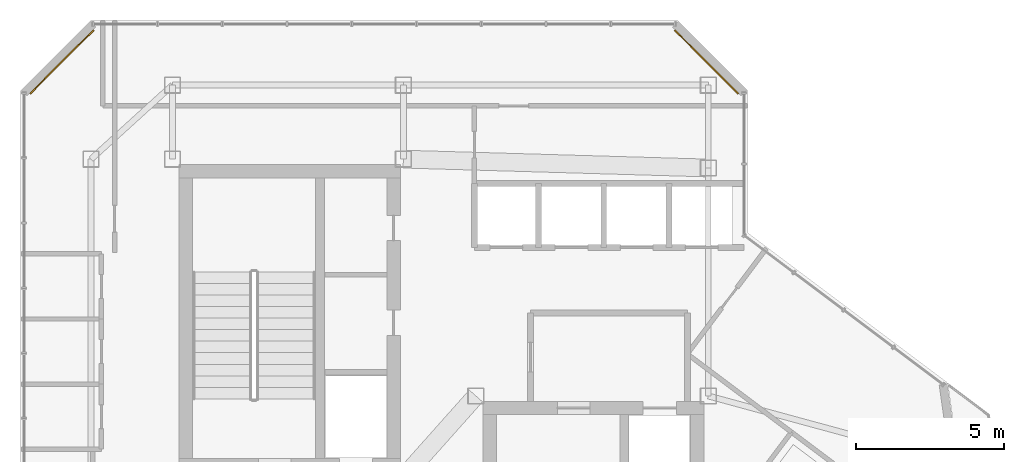
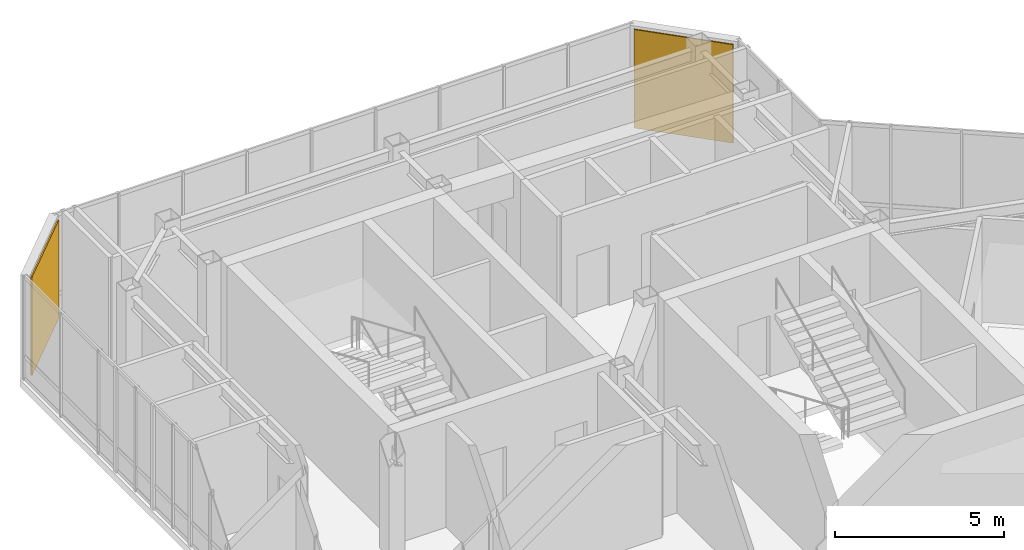
# One storey, part 23 of 23: 2 coverings.
"""IFC4 building model written with IfcOpenShell, lengths in metres."""

from ifc_helpers import new_model, si_unit, direction, frame, origin, origin_2d, place, context, subcontext, project, spatial, rectangle, extrude, material, layer, layer_set, type_object, element, save


model = new_model("IFC4")

# Units and contexts
model_context = context("Model", 3, precision=1e-05, world=origin(), true_north=direction((0.0, 1.0)))
body_context = subcontext(model_context, "Body", "Model", "MODEL_VIEW")
ifc_project = project(units=[si_unit("LENGTHUNIT", "METRE"), si_unit("AREAUNIT", "SQUARE_METRE"), si_unit("VOLUMEUNIT", "CUBIC_METRE"), si_unit("PLANEANGLEUNIT", "RADIAN"), si_unit("MASSUNIT", "GRAM", prefix="KILO")], contexts=[model_context])

# Site, building, storey
site_placement = place(None, origin())
site = spatial("IfcSite", under=ifc_project, at=site_placement, CompositionType="ELEMENT")
building_placement = place(site_placement, origin())
building = spatial("IfcBuilding", under=site, at=building_placement, Name="Hatsunagi Terrace Concourse", CompositionType="ELEMENT")
storey_placement = place(building_placement, frame((0.0, 0.0, 281.949951171875)))
storey = spatial("IfcBuildingStorey", under=building, at=storey_placement, Name="L74", CompositionType="ELEMENT", Elevation=281.949951171875)

# Coverings
ifc_material = material(Name="Unglazed Warm Terracotta Rainscreen Tile", Category="masonry")
ifc_layer = layer(ifc_material, 0.044921875)
ifc_layer_set = layer_set([ifc_layer], Name="TerracottaRainscreenCladding_45")
covering_type = type_object("IfcCoveringType", Name="TerracottaRainscreenCladding_45", PredefinedType="CLADDING", material=ifc_layer_set)
for number, where, z_axis, x_axis, name in (
    (1, (21.81396484375, 46.5859375, 0.10009765625), (0.0, 0.0, 1.0), (0.707106781187, 0.707106781187, 0.0), "Terracotta Rainscreen Cladding L74-08"),
    (2, (43.5859375, 46.5859375, 0.10009765625), (0.0, 0.0, 1.0), (0.707106781187, -0.707106781187, 0.0), "Terracotta Rainscreen Cladding L74-10"),
):
    element("IfcCovering", number, at=place(storey_placement, frame(where, z_axis=z_axis, x_axis=x_axis)), inside=storey, type_object=covering_type, Name=name, PredefinedType="CLADDING", context=body_context, shape_type="SweptSolid", body=[
        extrude(rectangle(XDim=3.0380859375, YDim=0.044921875, at=origin_2d()), origin(), (0.0, 0.0, 1.0), 3.550048828125),
    ])

save(model, "model.ifc")
